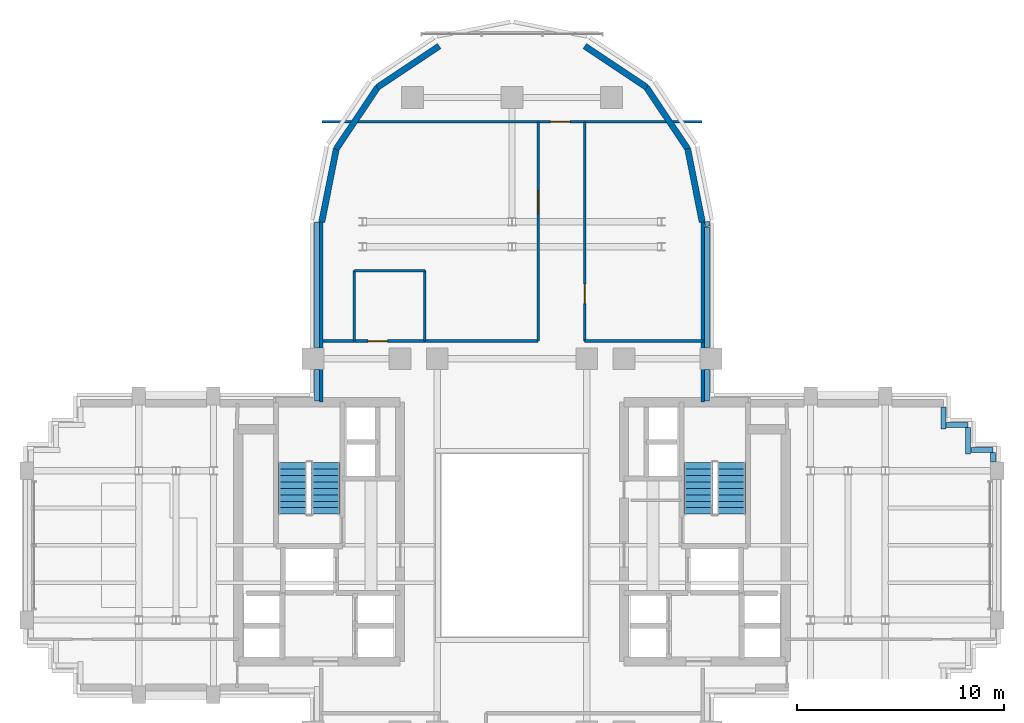
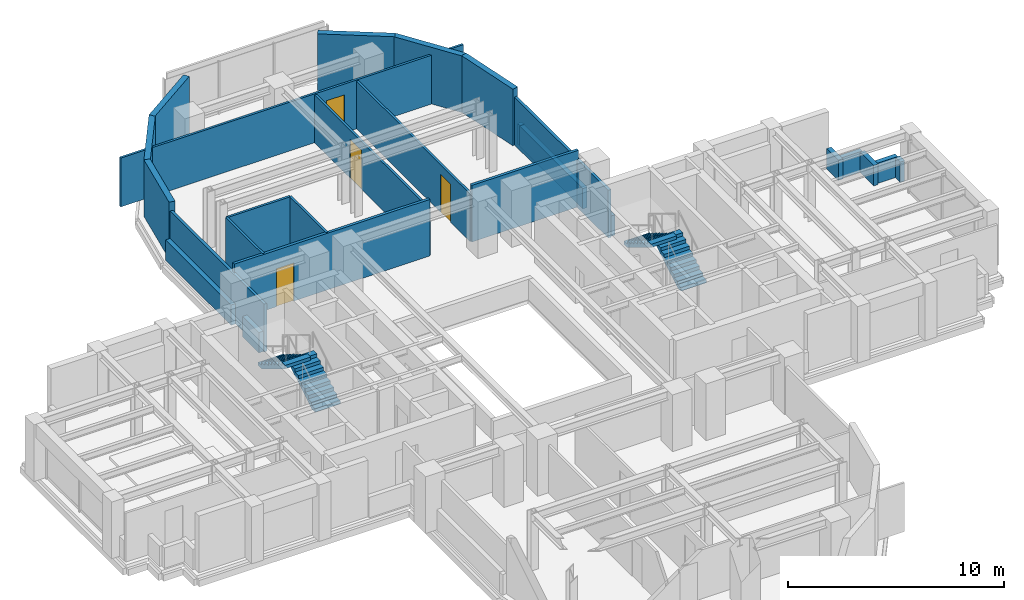
# One storey, part 10 of 13: 26 walls, 4 doors, 4 stair flights, 4 openings, 2 elements without a shape of their own.
"""IFC4 building model written with IfcOpenShell, lengths in metres."""

from ifc_helpers import new_model, si_unit, direction, frame, frame_2d, origin, place, context, subcontext, project, spatial, polyline, rectangle, outline, extrude, source, transform, mapped, material, layer, layer_set, type_object, element, fill, aggregate, save


model = new_model("IFC4")

# Units and contexts
model_context = context("Model", 3, precision=1e-05, world=origin(), true_north=direction((0.0, 1.0)))
body_context = subcontext(model_context, "Body", "Model", "MODEL_VIEW")
ifc_project = project(units=[si_unit("LENGTHUNIT", "METRE"), si_unit("AREAUNIT", "SQUARE_METRE"), si_unit("VOLUMEUNIT", "CUBIC_METRE"), si_unit("PLANEANGLEUNIT", "RADIAN"), si_unit("MASSUNIT", "GRAM", prefix="KILO")], contexts=[model_context])

# Site, building, storey
site_placement = place(None, origin())
site = spatial("IfcSite", under=ifc_project, at=site_placement, CompositionType="ELEMENT")
building_placement = place(site_placement, origin())
building = spatial("IfcBuilding", under=site, at=building_placement, Name="Keilestroom Media Tower", CompositionType="ELEMENT")
storey_placement = place(building_placement, frame((0.0, 0.0, 97.199951171875)))
storey = spatial("IfcBuildingStorey", under=building, at=storey_placement, Name="L25", CompositionType="ELEMENT", Elevation=97.199951171875)

# Walls
ifc_material_1 = material(Name="Precast concrete C40/50", Category="concrete")
ifc_layer_1 = layer(ifc_material_1, 0.300048828125)
ifc_layer_set_1 = layer_set([ifc_layer_1], Name="Precast concrete C40/50")
wall_type_1 = type_object("IfcWallType", Name="Exterior-Masonry-Spandrel-Wall-300", PredefinedType="SOLIDWALL", material=ifc_layer_set_1)
for number, where, z_axis, x_axis, name in (
    (1, (9.1748046875, 15.585205078125, 0.0), (0.0, 0.0, 1.0), (-0.195114232679, 0.980780523974, 0.0), "L25 Lobe Facet Precast Frame Wall 01"),
    (2, (8.48193359375, 19.097412109375, 0.0), (0.0, 0.0, 1.0), (-0.555574187116, 0.831466970246, 0.0), "L25 Lobe Facet Precast Frame Wall 02"),
):
    element("IfcWall", number, at=place(storey_placement, frame(where, z_axis=z_axis, x_axis=x_axis)), inside=storey, type_object=wall_type_1, Name=name, PredefinedType="SOLIDWALL", context=body_context, shape_type="SweptSolid", body=[
        extrude(rectangle(XDim=3.608642578125, YDim=0.300048828125, at=frame_2d((1.80419921875, 0.0))), origin(), (0.0, 0.0, 1.0), 3.199951171875),
    ])
for number, where, z_axis, x_axis, name in (
    (3, (6.497802734375, 22.0771484375, 0.0), (0.0, 0.0, 1.0), (-0.8314749531, 0.555562239868, 0.0), "L25 Lobe Facet Precast Frame Wall 03"),
    (4, (-3.510009765625, 24.073486328125, 0.0), (0.0, 0.0, 1.0), (-0.8314749531, -0.555562239868, 0.0), "L25 Lobe Facet Precast Frame Wall 04"),
):
    element("IfcWall", number, at=place(storey_placement, frame(where, z_axis=z_axis, x_axis=x_axis)), inside=storey, type_object=wall_type_1, Name=name, PredefinedType="SOLIDWALL", context=body_context, shape_type="SweptSolid", body=[
        extrude(rectangle(XDim=3.59326171875, YDim=0.300048828125, at=frame_2d((1.796630859375, 0.0))), origin(), (0.0, 0.0, 1.0), 3.199951171875),
    ])
for number, where, z_axis, x_axis, name in (
    (5, (-6.47705078125, 22.097900390625, 0.0), (0.0, 0.0, 1.0), (-0.555574187116, -0.831466970246, 0.0), "L25 Lobe Facet Precast Frame Wall 05"),
    (6, (-8.470703125, 19.12451171875, 0.0), (0.0, 0.0, 1.0), (-0.195114232679, -0.980780523974, 0.0), "L25 Lobe Facet Precast Frame Wall 06"),
):
    element("IfcWall", number, at=place(storey_placement, frame(where, z_axis=z_axis, x_axis=x_axis)), inside=storey, type_object=wall_type_1, Name=name, PredefinedType="SOLIDWALL", context=body_context, shape_type="SweptSolid", body=[
        extrude(rectangle(XDim=3.608642578125, YDim=0.300048828125, at=frame_2d((1.80419921875, 0.0))), origin(), (0.0, 0.0, 1.0), 3.199951171875),
    ])

# Wall, opening, door
ifc_material_2 = material(Name="Gypsum Plasterboard & Steel Stud", Category="steel")
ifc_layer_2 = layer(ifc_material_2, 0.1201171875)
ifc_layer_set_2 = layer_set([ifc_layer_2], Name="Gypsum Plasterboard & Steel Stud")
wall_type_2 = type_object("IfcWallType", Name="Interior-Partition-Wall-120", PredefinedType="PARTITIONING", material=ifc_layer_set_2)
wall_1_placement = place(storey_placement, frame((1.260009765625, 9.85009765625, 0.0), z_axis=(0.0, 0.0, 1.0), x_axis=(0.0, 1.0, 0.0)))
wall_1 = element("IfcWall", 7, at=wall_1_placement, inside=storey, type_object=wall_type_2, Name="L25 Interior Wall WP-L25-NL-SPW", PredefinedType="PARTITIONING", context=body_context, shape_type="SweptSolid", body=[
    extrude(rectangle(XDim=10.56982421875, YDim=0.1201171875, at=frame_2d((5.284912109375, 0.0))), origin(), (0.0, 0.0, 1.0), 2.699951171875),
])
opening_1_placement = place(wall_1_placement, frame((6.14990234375, 0.0, 0.0)))
opening_1 = element("IfcOpeningElement", 8, at=opening_1_placement, cuts=wall_1, Name="Opening DI-04", PredefinedType="OPENING", context=body_context, shape_type="SweptSolid", body=[
    extrude(rectangle(XDim=1.10009765625, YDim=2.199951171875, at=frame_2d((0.550048828125, 1.10009765625))), frame((0.0, 0.070068359375, 0.0), z_axis=(0.0, -1.0, 0.0), x_axis=(1.0, 0.0, 0.0)), (0.0, 0.0, 1.0), 0.14013671875),
])
ifc_material_3 = material(Name="Acoustic Glazed Aluminium Leaf", Category="aluminium")
door_type_1 = type_object("IfcDoorType", Name="Interior-Room-And-Suite-Door-DI-04", OperationType="NOTDEFINED", PredefinedType="DOOR", material=ifc_material_3)
shared_shape_1 = source(origin(), body_context, "Body", "SweptSolid", [
    extrude(rectangle(XDim=1.10009765625, YDim=2.199951171875, at=frame_2d((0.550048828125, 1.10009765625))), frame((0.0, 0.02490234375, 0.0), z_axis=(0.0, -1.0, 0.0), x_axis=(1.0, 0.0, 0.0)), (0.0, 0.0, 1.0), 0.050048828125),
])
door_1_placement = place(opening_1_placement, origin())
door_1 = element("IfcDoor", 9, at=door_1_placement, inside=storey, type_object=door_type_1, Name="L25 Interior Door DI-L25-DNL-W1", OperationType="SINGLE_SWING_RIGHT", OverallHeight=2.199951171875, OverallWidth=1.10009765625, PredefinedType="DOOR", context=body_context, shape_type="MappedRepresentation", body=[
    mapped(shared_shape_1, transform((0.0, 0.0, 0.0), x_axis=(1.0, 0.0, 0.0), y_axis=(0.0, 1.0, 0.0), z_axis=(0.0, 0.0, 1.0), scale=1.0)),
])
fill(opening_1, door_1)

wall_2_placement = place(storey_placement, frame((3.5, 9.85009765625, 0.0), z_axis=(0.0, 0.0, 1.0), x_axis=(0.0, 1.0, 0.0)))
wall_2 = element("IfcWall", 10, at=wall_2_placement, inside=storey, type_object=wall_type_2, Name="L25 Interior Wall WP-L25-NL-SPE", PredefinedType="PARTITIONING", context=body_context, shape_type="SweptSolid", body=[
    extrude(rectangle(XDim=10.56982421875, YDim=0.1201171875, at=frame_2d((5.284912109375, 0.0))), origin(), (0.0, 0.0, 1.0), 2.699951171875),
])
opening_2_placement = place(wall_2_placement, frame((1.800048828125, 0.0, 0.0)))
opening_2 = element("IfcOpeningElement", 11, at=opening_2_placement, cuts=wall_2, Name="Opening DI-03", PredefinedType="OPENING", context=body_context, shape_type="SweptSolid", body=[
    extrude(rectangle(XDim=0.949951171875, YDim=2.14990234375, at=frame_2d((0.47509765625, 1.074951171875))), frame((0.0, 0.070068359375, 0.0), z_axis=(0.0, -1.0, 0.0), x_axis=(1.0, 0.0, 0.0)), (0.0, 0.0, 1.0), 0.14013671875),
])
ifc_material_4 = material(Name="Lacquered European Oak Leaf", Category="wood")
door_type_2 = type_object("IfcDoorType", Name="Interior-Room-And-Suite-Door-DI-03", OperationType="NOTDEFINED", PredefinedType="DOOR", material=ifc_material_4)
shared_shape_2 = source(origin(), body_context, "Body", "SweptSolid", [
    extrude(rectangle(XDim=0.949951171875, YDim=2.14990234375, at=frame_2d((0.47509765625, 1.074951171875))), frame((0.0, 0.02490234375, 0.0), z_axis=(0.0, -1.0, 0.0), x_axis=(1.0, 0.0, 0.0)), (0.0, 0.0, 1.0), 0.050048828125),
])
door_2_placement = place(opening_2_placement, origin())
door_2 = element("IfcDoor", 12, at=door_2_placement, inside=storey, type_object=door_type_2, Name="L25 Interior Door DI-L25-DNL-E1", OperationType="SINGLE_SWING_LEFT", OverallHeight=2.14990234375, OverallWidth=0.949951171875, PredefinedType="DOOR", context=body_context, shape_type="MappedRepresentation", body=[
    mapped(shared_shape_2, transform((0.0, 0.0, 0.0), x_axis=(1.0, 0.0, 0.0), y_axis=(0.0, 1.0, 0.0), z_axis=(0.0, 0.0, 1.0), scale=1.0)),
])
fill(opening_2, door_2)

wall_3_placement = place(storey_placement, frame((-9.159912109375, 20.419921875, 0.0), z_axis=(0.0, 0.0, 1.0), x_axis=(1.0, 0.0, 0.0)))
wall_3 = element("IfcWall", 13, at=wall_3_placement, inside=storey, type_object=wall_type_2, Name="L25 Interior Wall WP-L25-NL-NTIPW", PredefinedType="PARTITIONING", context=body_context, shape_type="SweptSolid", body=[
    extrude(rectangle(XDim=18.31982421875, YDim=0.1201171875, at=frame_2d((9.159912109375, 0.0))), origin(), (0.0, 0.0, 1.0), 2.760009765625),
])
opening_3_placement = place(wall_3_placement, frame((11.010009765625, 0.0, 0.0)))
opening_3 = element("IfcOpeningElement", 14, at=opening_3_placement, cuts=wall_3, Name="Opening DI-03", PredefinedType="OPENING", context=body_context, shape_type="SweptSolid", body=[
    extrude(rectangle(XDim=0.949951171875, YDim=2.14990234375, at=frame_2d((0.47509765625, 1.074951171875))), frame((0.0, 0.070068359375, 0.0), z_axis=(0.0, -1.0, 0.0), x_axis=(1.0, 0.0, 0.0)), (0.0, 0.0, 1.0), 0.14013671875),
])
door_3_placement = place(opening_3_placement, origin())
door_3 = element("IfcDoor", 15, at=door_3_placement, inside=storey, type_object=door_type_2, Name="L25 Interior Door DI-L25-DNL-TIP", OperationType="SINGLE_SWING_RIGHT", OverallHeight=2.14990234375, OverallWidth=0.949951171875, PredefinedType="DOOR", context=body_context, shape_type="MappedRepresentation", body=[
    mapped(shared_shape_2, transform((0.0, 0.0, 0.0), x_axis=(1.0, 0.0, 0.0), y_axis=(0.0, 1.0, 0.0), z_axis=(0.0, 0.0, 1.0), scale=1.0)),
])
fill(opening_3, door_3)

# Walls
wall_4_placement = place(storey_placement, frame((-7.60009765625, 13.25, 0.0), z_axis=(0.0, 0.0, 1.0), x_axis=(1.0, 0.0, 0.0)))
element("IfcWall", 16, at=wall_4_placement, inside=storey, type_object=wall_type_2, Name="L25 Interior Wall WP-L25-NL-WC-N", PredefinedType="PARTITIONING", context=body_context, shape_type="SweptSolid", body=[
    extrude(rectangle(XDim=3.400146484375, YDim=0.1201171875, at=frame_2d((1.7001953125, 0.0))), origin(), (0.0, 0.0, 1.0), 3.199951171875),
])
for number, where, z_axis, x_axis, name in (
    (17, (-7.60009765625, 9.85009765625, 0.0), (0.0, 0.0, 1.0), (0.0, 1.0, 0.0), "L25 Interior Wall WP-L25-NL-WC-W"),
    (18, (-4.199951171875, 9.85009765625, 0.0), (0.0, 0.0, 1.0), (0.0, 1.0, 0.0), "L25 Interior Wall WP-L25-NL-WC-E"),
):
    element("IfcWall", number, at=place(storey_placement, frame(where, z_axis=z_axis, x_axis=x_axis)), inside=storey, type_object=wall_type_2, Name=name, PredefinedType="PARTITIONING", context=body_context, shape_type="SweptSolid", body=[
        extrude(rectangle(XDim=3.39990234375, YDim=0.1201171875, at=frame_2d((1.699951171875, 0.0))), origin(), (0.0, 0.0, 1.0), 3.199951171875),
    ])
ifc_layer_3 = layer(ifc_material_2, 0.14990234375)
ifc_layer_set_3 = layer_set([ifc_layer_3], Name="Gypsum Plasterboard & Steel Stud")
wall_type_3 = type_object("IfcWallType", Name="Interior-Partition-Wall-150", PredefinedType="PARTITIONING", material=ifc_layer_set_3)
for number, where, z_axis, x_axis, name in (
    (19, (-9.199951171875, 6.89990234375, 0.0), (0.0, 0.0, 1.0), (0.0, 1.0, 0.0), "L25 Interior Wall WP-L25-NL-CHKW"),
    (20, (9.199951171875, 6.89990234375, 0.0), (0.0, 0.0, 1.0), (0.0, 1.0, 0.0), "L25 Interior Wall WP-L25-NL-CHKE"),
):
    element("IfcWall", number, at=place(storey_placement, frame(where, z_axis=z_axis, x_axis=x_axis)), inside=storey, type_object=wall_type_3, Name=name, PredefinedType="PARTITIONING", context=body_context, shape_type="SweptSolid", body=[
        extrude(rectangle(XDim=8.780029296875, YDim=0.14990234375, at=frame_2d((4.39013671875, 0.0))), origin(), (0.0, 0.0, 1.0), 2.699951171875),
    ])

# Wall, opening, door
wall_5_placement = place(storey_placement, frame((-9.199951171875, 9.85009765625, 0.0), z_axis=(0.0, 0.0, 1.0), x_axis=(1.0, 0.0, 0.0)))
wall_5 = element("IfcWall", 21, at=wall_5_placement, inside=storey, type_object=wall_type_3, Name="L25 Interior Wall WP-L25-NL-BASE-W", PredefinedType="PARTITIONING", context=body_context, shape_type="SweptSolid", body=[
    extrude(rectangle(XDim=10.4599609375, YDim=0.14990234375, at=frame_2d((5.22998046875, 0.0))), origin(), (0.0, 0.0, 1.0), 3.199951171875),
])
opening_4_placement = place(wall_5_placement, frame((2.25, 0.0, 0.0)))
opening_4 = element("IfcOpeningElement", 22, at=opening_4_placement, cuts=wall_5, Name="Opening DI-03", PredefinedType="OPENING", context=body_context, shape_type="SweptSolid", body=[
    extrude(rectangle(XDim=0.949951171875, YDim=2.14990234375, at=frame_2d((0.47509765625, 1.074951171875))), frame((0.0, 0.0849609375, 0.0), z_axis=(0.0, -1.0, 0.0), x_axis=(1.0, 0.0, 0.0)), (0.0, 0.0, 1.0), 0.169921875),
])
door_4_placement = place(opening_4_placement, origin())
door_4 = element("IfcDoor", 23, at=door_4_placement, inside=storey, type_object=door_type_2, Name="L25 Interior Door DI-L25-DNL-WC", OperationType="SINGLE_SWING_LEFT", OverallHeight=2.14990234375, OverallWidth=0.949951171875, PredefinedType="DOOR", context=body_context, shape_type="MappedRepresentation", body=[
    mapped(shared_shape_2, transform((0.0, 0.0, 0.0), x_axis=(1.0, 0.0, 0.0), y_axis=(0.0, 1.0, 0.0), z_axis=(0.0, 0.0, 1.0), scale=1.0)),
])
fill(opening_4, door_4)

# Walls
wall_6_placement = place(storey_placement, frame((3.5, 9.85009765625, 0.0), z_axis=(0.0, 0.0, 1.0), x_axis=(1.0, 0.0, 0.0)))
element("IfcWall", 24, at=wall_6_placement, inside=storey, type_object=wall_type_3, Name="L25 Interior Wall WP-L25-NL-BASE-E", PredefinedType="PARTITIONING", context=body_context, shape_type="SweptSolid", body=[
    extrude(rectangle(XDim=5.699951171875, YDim=0.14990234375, at=frame_2d((2.85009765625, 0.0))), origin(), (0.0, 0.0, 1.0), 3.199951171875),
])
ifc_layer_4 = layer(ifc_material_1, 0.239990234375)
ifc_layer_set_4 = layer_set([ifc_layer_4], Name="Precast concrete C40/50")
wall_type_4 = type_object("IfcWallType", Name="Roof-And-Terrace-Parapet-Wall-240", PredefinedType="PARAPET", material=ifc_layer_set_4)
wall_7_placement = place(storey_placement, frame((-9.39990234375, 6.952880859375, 0.0), z_axis=(0.0, 0.0, 1.0), x_axis=(0.0, 1.0, 0.0)))
element("IfcWall", 25, at=wall_7_placement, inside=storey, type_object=wall_type_4, Name="L25 Perimeter Edge Parapet Wall 21", PredefinedType="PARAPET", context=body_context, shape_type="SweptSolid", body=[
    extrude(rectangle(XDim=1.51904296875, YDim=0.239990234375, at=frame_2d((0.759521484375, 0.0))), origin(), (0.0, 0.0, 1.0), 1.150146484375),
])
wall_8_placement = place(storey_placement, frame((-9.39990234375, 9.528076171875, 0.0), z_axis=(0.0, 0.0, 1.0), x_axis=(0.0, 1.0, 0.0)))
element("IfcWall", 26, at=wall_8_placement, inside=storey, type_object=wall_type_4, Name="L25 Perimeter Edge Parapet Wall 22", PredefinedType="PARAPET", context=body_context, shape_type="SweptSolid", body=[
    extrude(rectangle(XDim=6.07470703125, YDim=0.239990234375, at=frame_2d((3.037353515625, 0.0))), origin(), (0.0, 0.0, 1.0), 1.150146484375),
])
wall_9_placement = place(storey_placement, frame((9.395263671875, 15.604248046875, 0.0), z_axis=(0.0, 0.0, 1.0), x_axis=(0.194652052864, -0.980872355771, 0.0)))
element("IfcWall", 27, at=wall_9_placement, inside=storey, type_object=wall_type_4, Name="L25 Perimeter Edge Parapet Wall 23", PredefinedType="PARAPET", context=body_context, shape_type="SweptSolid", body=[
    extrude(rectangle(XDim=0.224609375, YDim=0.239990234375, at=frame_2d((0.1123046875, 0.0))), origin(), (0.0, 0.0, 1.0), 1.150146484375),
])
wall_10_placement = place(storey_placement, frame((9.39990234375, 15.357666015625, 0.0), z_axis=(0.0, 0.0, 1.0), x_axis=(0.0, -1.0, 0.0)))
element("IfcWall", 28, at=wall_10_placement, inside=storey, type_object=wall_type_4, Name="L25 Perimeter Edge Parapet Wall 24", PredefinedType="PARAPET", context=body_context, shape_type="SweptSolid", body=[
    extrude(rectangle(XDim=5.82958984375, YDim=0.239990234375, at=frame_2d((2.914794921875, 0.0))), origin(), (0.0, 0.0, 1.0), 1.150146484375),
])
wall_11_placement = place(storey_placement, frame((9.39990234375, 8.471923828125, 0.0), z_axis=(0.0, 0.0, 1.0), x_axis=(0.0, -1.0, 0.0)))
element("IfcWall", 29, at=wall_11_placement, inside=storey, type_object=wall_type_4, Name="L25 Perimeter Edge Parapet Wall 25", PredefinedType="PARAPET", context=body_context, shape_type="SweptSolid", body=[
    extrude(rectangle(XDim=1.51904296875, YDim=0.239990234375, at=frame_2d((0.759521484375, 0.0))), origin(), (0.0, 0.0, 1.0), 1.150146484375),
])
for number, where, z_axis, x_axis, name in (
    (30, (20.800048828125, 6.677001953125, 0.0), (0.0, 0.0, 1.0), (0.0, -1.0, 0.0), "L25 Perimeter Edge Parapet Wall 27"),
    (31, (20.923095703125, 5.800048828125, 0.0), (0.0, 0.0, 1.0), (1.0, 0.0, 0.0), "L25 Perimeter Edge Parapet Wall 28"),
):
    element("IfcWall", number, at=place(storey_placement, frame(where, z_axis=z_axis, x_axis=x_axis)), inside=storey, type_object=wall_type_4, Name=name, PredefinedType="PARAPET", context=body_context, shape_type="SweptSolid", body=[
        extrude(rectangle(XDim=1.076904296875, YDim=0.239990234375, at=frame_2d((0.53857421875, 0.0))), origin(), (0.0, 0.0, 1.0), 1.150146484375),
    ])
wall_12_placement = place(storey_placement, frame((22.0, 5.677001953125, 0.0), z_axis=(0.0, 0.0, 1.0), x_axis=(0.0, -1.0, 0.0)))
element("IfcWall", 32, at=wall_12_placement, inside=storey, type_object=wall_type_4, Name="L25 Perimeter Edge Parapet Wall 29", PredefinedType="PARAPET", context=body_context, shape_type="SweptSolid", body=[
    extrude(rectangle(XDim=1.277099609375, YDim=0.239990234375, at=frame_2d((0.638671875, 0.0))), origin(), (0.0, 0.0, 1.0), 1.150146484375),
])
wall_13_placement = place(storey_placement, frame((22.123046875, 4.60009765625, 0.0), z_axis=(0.0, 0.0, 1.0), x_axis=(1.0, 0.0, 0.0)))
element("IfcWall", 33, at=wall_13_placement, inside=storey, type_object=wall_type_4, Name="L25 Perimeter Edge Parapet Wall 30", PredefinedType="PARAPET", context=body_context, shape_type="SweptSolid", body=[
    extrude(rectangle(XDim=1.076904296875, YDim=0.239990234375, at=frame_2d((0.53857421875, 0.0))), origin(), (0.0, 0.0, 1.0), 1.150146484375),
])
wall_14_placement = place(storey_placement, frame((23.199951171875, 4.47705078125, 0.0), z_axis=(0.0, 0.0, 1.0), x_axis=(0.0, -1.0, 0.0)))
element("IfcWall", 34, at=wall_14_placement, inside=storey, type_object=wall_type_4, Name="L25 Perimeter Edge Parapet Wall 31", PredefinedType="PARAPET", context=body_context, shape_type="SweptSolid", body=[
    extrude(rectangle(XDim=0.448974609375, YDim=0.239990234375, at=frame_2d((0.224609375, 0.0))), origin(), (0.0, 0.0, 1.0), 1.150146484375),
])

# Stair, stair flights
ifc_material_5 = material(Name="Concrete C45/55", Category="concrete")
stair_type = type_object("IfcStairType", Name="Enclosed-Dog-Leg-Stair-ST-CORE", PredefinedType="HALF_TURN_STAIR", material=ifc_material_5)
stair_1_placement = place(storey_placement, origin())
stair_1 = element("IfcStair", 35, at=stair_1_placement, inside=storey, type_object=stair_type, Name="L25 West Core Escape Stair ST-1", PredefinedType="HALF_TURN_STAIR")
stair_flight_type = type_object("IfcStairFlightType", Name="Precast-Concrete-Stair-Flight-Core-160", PredefinedType="STRAIGHT", material=ifc_material_1)
stair_flight_1_placement = place(storey_placement, frame((-8.97998046875, 1.5, 0.0), z_axis=(0.0, 0.0, 1.0), x_axis=(0.0, 1.0, 0.0)))
stair_flight_1 = element("IfcStairFlight", 36, at=stair_flight_1_placement, type_object=stair_flight_type, Name="ST-1 flight 1", NumberOfRisers=9, NumberOfTreads=8, PredefinedType="STRAIGHT", RiserHeight=0.188888889, TreadLength=0.312, context=body_context, shape_type="SweptSolid", body=[
    extrude(outline(polyline([(0.0, 0.0), (0.0, 0.18896484375), (0.31201171875, 0.18896484375), (0.31201171875, 0.377685546875), (0.6240234375, 0.377685546875), (0.6240234375, 0.566650390625), (0.93603515625, 0.566650390625), (0.93603515625, 0.755615234375), (1.248046875, 0.755615234375), (1.248046875, 0.9443359375), (1.56005859375, 0.9443359375), (1.56005859375, 1.13330078125), (1.8720703125, 1.13330078125), (1.8720703125, 1.322265625), (2.18408203125, 1.322265625), (2.18408203125, 1.51123046875), (2.49609375, 1.51123046875), (2.49609375, 1.699951171875), (2.49609375, 1.32421875), (0.308837890625, 0.0), (0.0, 0.0)])), frame((0.0, 0.68017578125, 0.0), z_axis=(0.0, -1.0, 0.0), x_axis=(1.0, 0.0, 0.0)), (0.0, 0.0, 1.0), 1.360107421875),
])
stair_flight_2_placement = place(storey_placement, frame((-10.580078125, 3.99609375, 1.699951171875), z_axis=(0.0, 0.0, 1.0), x_axis=(0.0, -1.0, 0.0)))
stair_flight_2 = element("IfcStairFlight", 37, at=stair_flight_2_placement, type_object=stair_flight_type, Name="ST-1 flight 2", NumberOfRisers=9, NumberOfTreads=8, PredefinedType="STRAIGHT", RiserHeight=0.188888889, TreadLength=0.312, context=body_context, shape_type="SweptSolid", body=[
    extrude(outline(polyline([(0.0, 0.0), (0.0, 0.18896484375), (0.31201171875, 0.18896484375), (0.31201171875, 0.377685546875), (0.6240234375, 0.377685546875), (0.6240234375, 0.566650390625), (0.93603515625, 0.566650390625), (0.93603515625, 0.755615234375), (1.248046875, 0.755615234375), (1.248046875, 0.9443359375), (1.56005859375, 0.9443359375), (1.56005859375, 1.13330078125), (1.8720703125, 1.13330078125), (1.8720703125, 1.322265625), (2.18408203125, 1.322265625), (2.18408203125, 1.51123046875), (2.49609375, 1.51123046875), (2.49609375, 1.699951171875), (2.49609375, 1.32421875), (0.308837890625, 0.0), (0.0, 0.0)])), frame((0.0, 0.68017578125, 0.0), z_axis=(0.0, -1.0, 0.0), x_axis=(1.0, 0.0, 0.0)), (0.0, 0.0, 1.0), 1.360107421875),
])
aggregate(stair_1, [stair_flight_1, stair_flight_2])

stair_2_placement = place(storey_placement, origin())
stair_2 = element("IfcStair", 38, at=stair_2_placement, inside=storey, type_object=stair_type, Name="L25 East Core Escape Stair ST-2", PredefinedType="HALF_TURN_STAIR")
stair_flight_3_placement = place(storey_placement, frame((10.580078125, 1.5, 0.0), z_axis=(0.0, 0.0, 1.0), x_axis=(0.0, 1.0, 0.0)))
stair_flight_3 = element("IfcStairFlight", 39, at=stair_flight_3_placement, type_object=stair_flight_type, Name="ST-2 flight 1", NumberOfRisers=9, NumberOfTreads=8, PredefinedType="STRAIGHT", RiserHeight=0.188888889, TreadLength=0.312, context=body_context, shape_type="SweptSolid", body=[
    extrude(outline(polyline([(0.0, 0.0), (0.0, 0.18896484375), (0.31201171875, 0.18896484375), (0.31201171875, 0.377685546875), (0.6240234375, 0.377685546875), (0.6240234375, 0.566650390625), (0.93603515625, 0.566650390625), (0.93603515625, 0.755615234375), (1.248046875, 0.755615234375), (1.248046875, 0.9443359375), (1.56005859375, 0.9443359375), (1.56005859375, 1.13330078125), (1.8720703125, 1.13330078125), (1.8720703125, 1.322265625), (2.18408203125, 1.322265625), (2.18408203125, 1.51123046875), (2.49609375, 1.51123046875), (2.49609375, 1.699951171875), (2.49609375, 1.32421875), (0.308837890625, 0.0), (0.0, 0.0)])), frame((0.0, 0.68017578125, 0.0), z_axis=(0.0, -1.0, 0.0), x_axis=(1.0, 0.0, 0.0)), (0.0, 0.0, 1.0), 1.360107421875),
])
stair_flight_4_placement = place(storey_placement, frame((8.97998046875, 3.99609375, 1.699951171875), z_axis=(0.0, 0.0, 1.0), x_axis=(0.0, -1.0, 0.0)))
stair_flight_4 = element("IfcStairFlight", 40, at=stair_flight_4_placement, type_object=stair_flight_type, Name="ST-2 flight 2", NumberOfRisers=9, NumberOfTreads=8, PredefinedType="STRAIGHT", RiserHeight=0.188888889, TreadLength=0.312, context=body_context, shape_type="SweptSolid", body=[
    extrude(outline(polyline([(0.0, 0.0), (0.0, 0.18896484375), (0.31201171875, 0.18896484375), (0.31201171875, 0.377685546875), (0.6240234375, 0.377685546875), (0.6240234375, 0.566650390625), (0.93603515625, 0.566650390625), (0.93603515625, 0.755615234375), (1.248046875, 0.755615234375), (1.248046875, 0.9443359375), (1.56005859375, 0.9443359375), (1.56005859375, 1.13330078125), (1.8720703125, 1.13330078125), (1.8720703125, 1.322265625), (2.18408203125, 1.322265625), (2.18408203125, 1.51123046875), (2.49609375, 1.51123046875), (2.49609375, 1.699951171875), (2.49609375, 1.32421875), (0.308837890625, 0.0), (0.0, 0.0)])), frame((0.0, 0.68017578125, 0.0), z_axis=(0.0, -1.0, 0.0), x_axis=(1.0, 0.0, 0.0)), (0.0, 0.0, 1.0), 1.360107421875),
])
aggregate(stair_2, [stair_flight_3, stair_flight_4])

save(model, "model.ifc")
